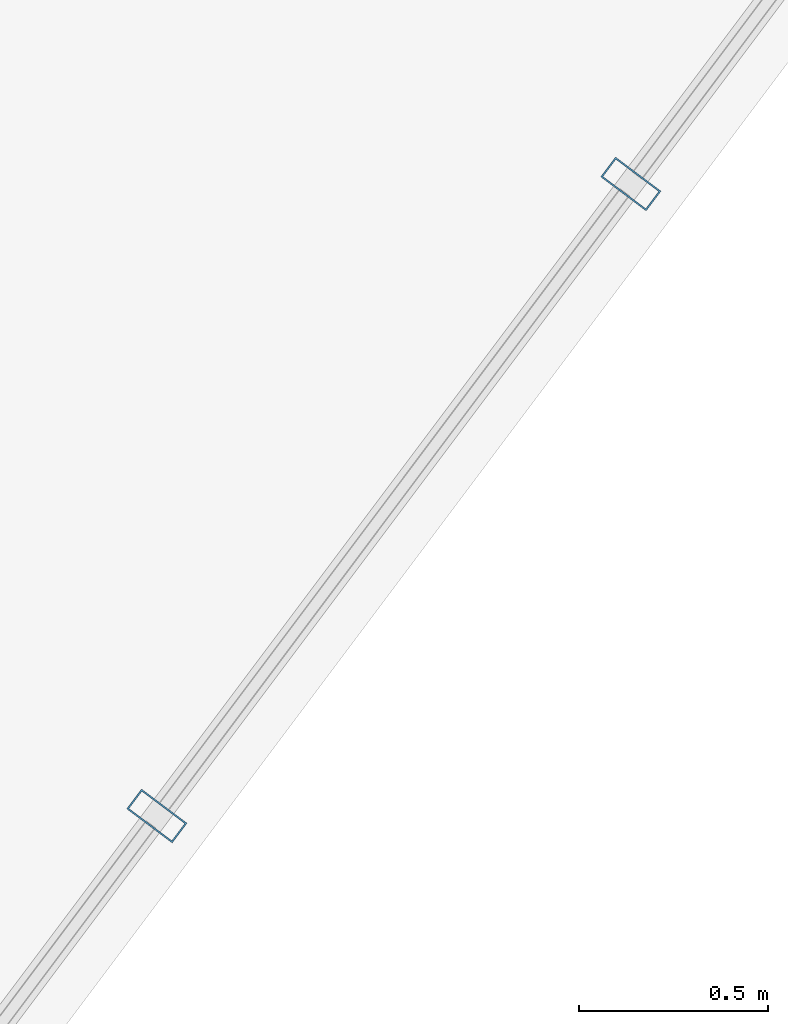
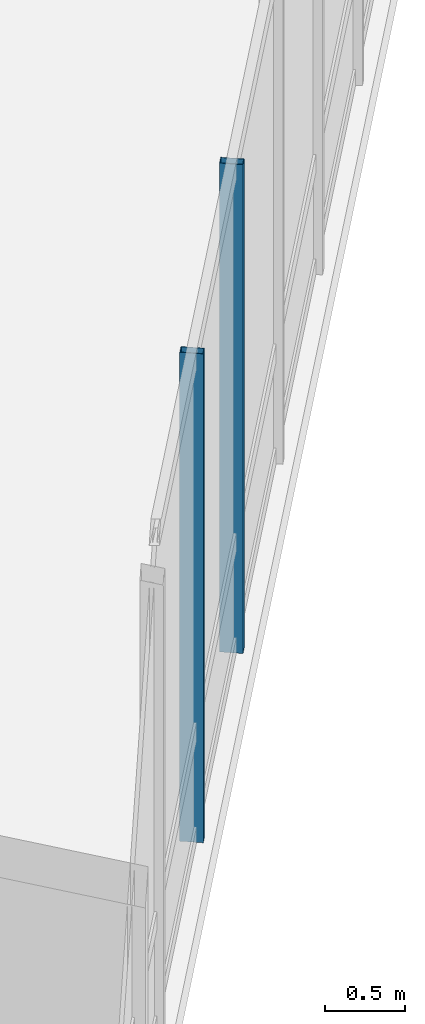
# One storey, part 8 of 30: 2 members, 1 element without a shape of its own.
"""IFC4 building model written with IfcOpenShell, lengths in metres."""

from ifc_helpers import new_model, si_unit, direction, frame, origin, origin_2d, place, context, subcontext, project, spatial, hollow_rectangle, extrude, material, layer, layer_set, material_profile, profile_set, type_object, element, aggregate, save


model = new_model("IFC4")

# Units and contexts
model_context = context("Model", 3, precision=1e-05, world=origin(), true_north=direction((0.0, 1.0)))
body_context = subcontext(model_context, "Body", "Model", "MODEL_VIEW")
ifc_project = project(units=[si_unit("LENGTHUNIT", "METRE"), si_unit("AREAUNIT", "SQUARE_METRE"), si_unit("VOLUMEUNIT", "CUBIC_METRE"), si_unit("PLANEANGLEUNIT", "RADIAN"), si_unit("MASSUNIT", "GRAM", prefix="KILO")], contexts=[model_context])

# Site, building, storey
site_placement = place(None, origin())
site = spatial("IfcSite", under=ifc_project, at=site_placement, CompositionType="ELEMENT")
building_placement = place(site_placement, origin())
building = spatial("IfcBuilding", under=site, at=building_placement, Name="Hatsunagi Terrace Concourse", CompositionType="ELEMENT")
storey_placement = place(building_placement, frame((0.0, 0.0, 273.949951171875)))
storey = spatial("IfcBuildingStorey", under=building, at=storey_placement, Name="L72", CompositionType="ELEMENT", Elevation=273.949951171875)

# Curtain wall, members
ifc_material_1 = material(Name="Anodised Aluminium Alloy 6063-T5", Category="aluminium")
ifc_layer = layer(ifc_material_1, 0.199951171875)
ifc_layer_set = layer_set([ifc_layer], Name="CrownWintergarden_CW06")
curtain_wall_type = type_object("IfcCurtainWallType", Name="CrownWintergarden_CW06", PredefinedType="NOTDEFINED", material=ifc_layer_set)
curtain_wall_placement = place(storey_placement, origin())
curtain_wall = element("IfcCurtainWall", 1, at=curtain_wall_placement, inside=storey, type_object=curtain_wall_type, Name="Unitised Curtain Wall CW-06 CW-L72-03", PredefinedType="NOTDEFINED")
ifc_material_2 = material(Name="Anodised Aluminium Alloy 6063-T5", Category="aluminium")
ifc_material_profile = material_profile(ifc_material_2, hollow_rectangle(XDim=0.06494140625, YDim=0.14990234375, WallThickness=0.00390625, at=origin_2d()), Name="ALU-MUL-150x65x4")
ifc_profile_set = profile_set([ifc_material_profile], Name="Anodised Aluminium Alloy 6063-T5")
member_type = type_object("IfcMemberType", Name="CurtainWallMullion_Crown_150x65", PredefinedType="MULLION", material=ifc_profile_set)
member_1_placement = place(storey_placement, frame((47.22802734375, 23.00390625, 0.0), z_axis=(0.0, 0.0, 1.0), x_axis=(-0.599969314634, -0.800023013105, 0.0)))
member_1 = element("IfcMember", 2, at=member_1_placement, type_object=member_type, Name="Curtain Wall Mullion MUL-03", PredefinedType="MULLION", context=body_context, shape_type="SweptSolid", body=[
    extrude(hollow_rectangle(XDim=0.06494140625, YDim=0.14990234375, WallThickness=0.00390625, at=origin_2d()), origin(), (0.0, 0.0, 1.0), 3.75),
])
member_2_placement = place(storey_placement, frame((45.97509765625, 21.3330078125, 0.0), z_axis=(0.0, 0.0, 1.0), x_axis=(-0.599969314634, -0.800023013105, 0.0)))
member_2 = element("IfcMember", 3, at=member_2_placement, type_object=member_type, Name="Curtain Wall Mullion MUL-03", PredefinedType="MULLION", context=body_context, shape_type="SweptSolid", body=[
    extrude(hollow_rectangle(XDim=0.06494140625, YDim=0.14990234375, WallThickness=0.00390625, at=origin_2d()), origin(), (0.0, 0.0, 1.0), 3.75),
])
aggregate(curtain_wall, [member_1, member_2])

save(model, "model.ifc")
